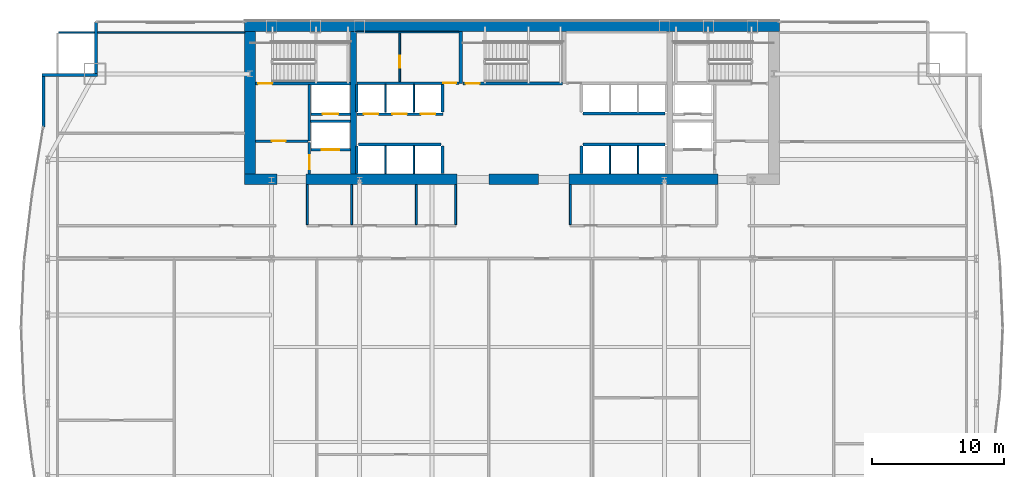
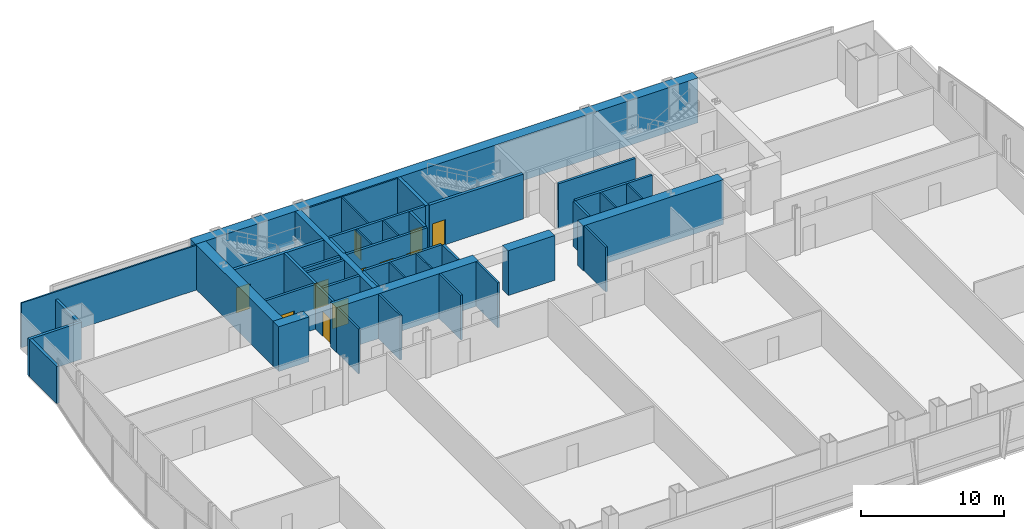
# One storey, part 28 of 32: 43 walls, 11 doors, 11 openings.
"""IFC4 building model written with IfcOpenShell, lengths in metres."""

from ifc_helpers import new_model, si_unit, direction, frame, frame_2d, origin, place, context, subcontext, project, spatial, rectangle, extrude, material, layer, layer_set, type_object, element, fill, save


model = new_model("IFC4")

# Units and contexts
model_context = context("Model", 3, precision=1e-05, world=origin(), true_north=direction((0.0, 1.0)))
body_context = subcontext(model_context, "Body", "Model", "MODEL_VIEW")
ifc_project = project(units=[si_unit("LENGTHUNIT", "METRE"), si_unit("AREAUNIT", "SQUARE_METRE"), si_unit("VOLUMEUNIT", "CUBIC_METRE"), si_unit("PLANEANGLEUNIT", "RADIAN"), si_unit("MASSUNIT", "GRAM", prefix="KILO")], contexts=[model_context])

# Site, building, storey
site_placement = place(None, origin())
site = spatial("IfcSite", under=ifc_project, at=site_placement, CompositionType="ELEMENT")
building_placement = place(site_placement, origin())
building = spatial("IfcBuilding", under=site, at=building_placement, Name="Khoronbel Lancet Exchange", CompositionType="ELEMENT")
storey_placement = place(building_placement, frame((0.0, 0.0, 65.800048828125)))
storey = spatial("IfcBuildingStorey", under=building, at=storey_placement, Name="L15", CompositionType="ELEMENT", Elevation=65.800048828125)

# Walls
ifc_material_1 = material(Name="Concrete C80/95", Category="concrete")
ifc_layer_1 = layer(ifc_material_1, 0.800048828125, Name="Concrete C80/95")
ifc_layer_set_1 = layer_set([ifc_layer_1], Name="Concrete C80/95")
wall_type_1 = type_object("IfcWallType", Name="WL-CW1", PredefinedType="SHEAR", material=ifc_layer_set_1)
wall_1_placement = place(storey_placement, frame((16.199951171875, 53.300048828125, 0.0), z_axis=(0.0, 0.0, 1.0), x_axis=(1.0, 0.0, 0.0)))
element("IfcWall", 1, at=wall_1_placement, inside=storey, type_object=wall_type_1, Name="Level L15 rear core north shear wall", PredefinedType="SHEAR", context=body_context, shape_type="SweptSolid", body=[
    extrude(rectangle(XDim=40.5, YDim=0.800048828125, at=frame_2d((20.25, 0.0))), origin(), (0.0, 0.0, 1.0), 3.820068359375),
])
wall_2_placement = place(storey_placement, frame((16.60009765625, 42.10009765625, 0.0), z_axis=(0.0, 0.0, 1.0), x_axis=(0.0, 1.0, 0.0)))
element("IfcWall", 2, at=wall_2_placement, inside=storey, type_object=wall_type_1, Name="Level L15 rear core west shear wall", PredefinedType="SHEAR", context=body_context, shape_type="SweptSolid", body=[
    extrude(rectangle(XDim=10.7998046875, YDim=0.800048828125, at=frame_2d((5.39990234375, 0.0))), origin(), (0.0, 0.0, 1.0), 3.820068359375),
])
wall_3_placement = place(storey_placement, frame((18.64990234375, 41.699951171875, 0.0), z_axis=(0.0, 0.0, 1.0), x_axis=(-1.0, 0.0, 0.0)))
element("IfcWall", 3, at=wall_3_placement, inside=storey, type_object=wall_type_1, Name="Level L15 rear core south shear wall pier P1", PredefinedType="SHEAR", context=body_context, shape_type="SweptSolid", body=[
    extrude(rectangle(XDim=2.449951171875, YDim=0.800048828125, at=frame_2d((1.22509765625, 0.0))), origin(), (0.0, 0.0, 1.0), 3.820068359375),
])
wall_4_placement = place(storey_placement, frame((32.300048828125, 41.699951171875, 0.0), z_axis=(0.0, 0.0, 1.0), x_axis=(-1.0, 0.0, 0.0)))
element("IfcWall", 4, at=wall_4_placement, inside=storey, type_object=wall_type_1, Name="Level L15 rear core south shear wall pier P2", PredefinedType="SHEAR", context=body_context, shape_type="SweptSolid", body=[
    extrude(rectangle(XDim=11.449951171875, YDim=0.800048828125, at=frame_2d((5.72509765625, 0.0))), origin(), (0.0, 0.0, 1.0), 3.820068359375),
])
wall_5_placement = place(storey_placement, frame((38.449951171875, 41.699951171875, 0.0), z_axis=(0.0, 0.0, 1.0), x_axis=(-1.0, 0.0, 0.0)))
element("IfcWall", 5, at=wall_5_placement, inside=storey, type_object=wall_type_1, Name="Level L15 rear core south shear wall pier P3", PredefinedType="SHEAR", context=body_context, shape_type="SweptSolid", body=[
    extrude(rectangle(XDim=3.75, YDim=0.800048828125, at=frame_2d((1.875, 0.0))), origin(), (0.0, 0.0, 1.0), 3.820068359375),
])
wall_6_placement = place(storey_placement, frame((52.050048828125, 41.699951171875, 0.0), z_axis=(0.0, 0.0, 1.0), x_axis=(-1.0, 0.0, 0.0)))
element("IfcWall", 6, at=wall_6_placement, inside=storey, type_object=wall_type_1, Name="Level L15 rear core south shear wall pier P4", PredefinedType="SHEAR", context=body_context, shape_type="SweptSolid", body=[
    extrude(rectangle(XDim=11.300048828125, YDim=0.800048828125, at=frame_2d((5.64990234375, 0.0))), origin(), (0.0, 0.0, 1.0), 3.820068359375),
])
ifc_material_2 = material(Name="Precast concrete C40/50", Category="concrete")
ifc_layer_2 = layer(ifc_material_2, 0.25, Name="Precast concrete C40/50")
ifc_layer_set_2 = layer_set([ifc_layer_2], Name="Precast concrete C40/50")
wall_type_2 = type_object("IfcWallType", Name="WL-EXT250", PredefinedType="SOLIDWALL", material=ifc_layer_set_2)
wall_7_placement = place(storey_placement, frame((0.93994140625, 45.672607421875, 0.0), z_axis=(0.0, 0.0, 1.0), x_axis=(0.0, 1.0, 0.0)))
element("IfcWall", 7, at=wall_7_placement, inside=storey, type_object=wall_type_2, Name="Level L15 notched-corner limestone pier 10", PredefinedType="SOLIDWALL", context=body_context, shape_type="SweptSolid", body=[
    extrude(rectangle(XDim=3.827392578125, YDim=0.219970703125, at=frame_2d((1.91357421875, 0.0))), origin(), (0.0, 0.0, 1.0), 3.159912109375),
])
wall_8_placement = place(storey_placement, frame((0.830078125, 49.610107421875, 0.0), z_axis=(0.0, 0.0, 1.0), x_axis=(1.0, 0.0, 0.0)))
element("IfcWall", 8, at=wall_8_placement, inside=storey, type_object=wall_type_2, Name="Level L15 notched-corner limestone pier 11", PredefinedType="SOLIDWALL", context=body_context, shape_type="SweptSolid", body=[
    extrude(rectangle(XDim=4.219970703125, YDim=0.219970703125, at=frame_2d((2.10986328125, 0.0))), origin(), (0.0, 0.0, 1.0), 3.159912109375),
])
wall_9_placement = place(storey_placement, frame((4.93994140625, 49.719970703125, 0.0), z_axis=(0.0, 0.0, 1.0), x_axis=(0.0, 1.0, 0.0)))
element("IfcWall", 9, at=wall_9_placement, inside=storey, type_object=wall_type_2, Name="Level L15 notched-corner limestone pier 12", PredefinedType="SOLIDWALL", context=body_context, shape_type="SweptSolid", body=[
    extrude(rectangle(XDim=3.909912109375, YDim=0.219970703125, at=frame_2d((1.955078125, 0.0))), origin(), (0.0, 0.0, 1.0), 3.159912109375),
])
ifc_material_3 = material(Name="Acoustic Metal-Stud & Mineral-Wool Gypsum Partition 120 mm", Category="gypsum")
ifc_layer_3 = layer(ifc_material_3, 0.1201171875, Name="Acoustic Metal-Stud & Mineral-Wool Gypsum Partition 120 mm")
ifc_layer_set_3 = layer_set([ifc_layer_3], Name="Acoustic Metal-Stud & Mineral-Wool Gypsum Partition 120 mm")
wall_type_3 = type_object("IfcWallType", Name="WL-PRT120", PredefinedType="PARTITIONING", material=ifc_layer_set_3)
for number, where, z_axis, x_axis, name in (
    (10, (20.949951171875, 38.280029296875, 0.0), (0.0, 0.0, 1.0), (0.0, 1.0, 0.0), "Level L15 interior partition PW-WC-0"),
    (11, (24.300048828125, 38.280029296875, 0.0), (0.0, 0.0, 1.0), (0.0, 1.0, 0.0), "Level L15 interior partition PW-WC-1"),
    (12, (29.199951171875, 38.280029296875, 0.0), (0.0, 0.0, 1.0), (0.0, 1.0, 0.0), "Level L15 interior partition PW-WC-2"),
    (13, (32.179931640625, 38.280029296875, 0.0), (0.0, 0.0, 1.0), (0.0, 1.0, 0.0), "Level L15 interior partition PW-WC-3"),
    (14, (40.8798828125, 38.280029296875, 0.0), (0.0, 0.0, 1.0), (0.0, 1.0, 0.0), "Level L15 interior partition PW-NP-0"),
):
    element("IfcWall", number, at=place(storey_placement, frame(where, z_axis=z_axis, x_axis=x_axis)), inside=storey, type_object=wall_type_3, Name=name, PredefinedType="PARTITIONING", context=body_context, shape_type="SweptSolid", body=[
        extrude(rectangle(XDim=3.02001953125, YDim=0.14990234375, at=frame_2d((1.510009765625, 0.0))), origin(), (0.0, 0.0, 1.0), 3.820068359375),
    ])
wall_10_placement = place(storey_placement, frame((2.094970703125, 52.840087890625, 0.0), z_axis=(0.0, 0.0, 1.0), x_axis=(1.0, 0.0, 0.0)))
element("IfcWall", 15, at=wall_10_placement, inside=storey, type_object=wall_type_3, Name="Level L15 interior partition PW-LIN-NW", PredefinedType="PARTITIONING", context=body_context, shape_type="SweptSolid", body=[
    extrude(rectangle(XDim=14.10498046875, YDim=0.1201171875, at=frame_2d((7.052490234375, 0.0))), origin(), (0.0, 0.0, 1.0), 3.820068359375),
])
ifc_material_4 = material(Name="Fire-Rated Metal-Stud & Mineral-Wool Gypsum Partition 120 mm", Category="gypsum")
ifc_layer_4 = layer(ifc_material_4, 0.1201171875, Name="Fire-Rated Metal-Stud & Mineral-Wool Gypsum Partition 120 mm")
ifc_layer_set_4 = layer_set([ifc_layer_4], Name="Fire-Rated Metal-Stud & Mineral-Wool Gypsum Partition 120 mm")
wall_type_4 = type_object("IfcWallType", Name="WL-PRT120F", PredefinedType="PARTITIONING", material=ifc_layer_set_4)
for number, where, z_axis, x_axis, name in (
    (16, (26.860107421875, 46.800048828125, 0.0), (0.0, 0.0, 1.0), (0.0, 1.0, 0.0), "Level L15 interior partition CW-PL-D1"),
    (17, (29.02001953125, 46.800048828125, 0.0), (0.0, 0.0, 1.0), (0.0, 1.0, 0.0), "Level L15 interior partition CW-PL-D2"),
):
    element("IfcWall", number, at=place(storey_placement, frame(where, z_axis=z_axis, x_axis=x_axis)), inside=storey, type_object=wall_type_4, Name=name, PredefinedType="PARTITIONING", context=body_context, shape_type="SweptSolid", body=[
        extrude(rectangle(XDim=2.094970703125, YDim=0.1201171875, at=frame_2d((1.04736328125, 0.0))), origin(), (0.0, 0.0, 1.0), 3.820068359375),
    ])
for number, where, z_axis, x_axis, name in (
    (18, (26.860107421875, 42.14990234375, 0.0), (0.0, 0.0, 1.0), (0.0, 1.0, 0.0), "Level L15 interior partition CW-PM-D1"),
    (19, (29.02001953125, 42.14990234375, 0.0), (0.0, 0.0, 1.0), (0.0, 1.0, 0.0), "Level L15 interior partition CW-PM-D2"),
    (20, (43.860107421875, 42.14990234375, 0.0), (0.0, 0.0, 1.0), (0.0, 1.0, 0.0), "Level L15 interior partition CW-PX-D1"),
    (21, (46.0, 42.14990234375, 0.0), (0.0, 0.0, 1.0), (0.0, 1.0, 0.0), "Level L15 interior partition CW-PX-D2"),
):
    element("IfcWall", number, at=place(storey_placement, frame(where, z_axis=z_axis, x_axis=x_axis)), inside=storey, type_object=wall_type_4, Name=name, PredefinedType="PARTITIONING", context=body_context, shape_type="SweptSolid", body=[
        extrude(rectangle(XDim=2.09521484375, YDim=0.1201171875, at=frame_2d((1.047607421875, 0.0))), origin(), (0.0, 0.0, 1.0), 3.820068359375),
    ])
wall_11_placement = place(storey_placement, frame((24.699951171875, 52.860107421875, 0.0), z_axis=(0.0, 0.0, 1.0), x_axis=(1.0, 0.0, 0.0)))
element("IfcWall", 22, at=wall_11_placement, inside=storey, type_object=wall_type_4, Name="Level L15 interior partition CW-SUP-NW-N", PredefinedType="PARTITIONING", context=body_context, shape_type="SweptSolid", body=[
    extrude(rectangle(XDim=7.719970703125, YDim=0.1201171875, at=frame_2d((3.85986328125, 0.0))), origin(), (0.0, 0.0, 1.0), 3.820068359375),
])

# Wall, opening, door
wall_12_placement = place(storey_placement, frame((27.9423828125, 49.10498046875, 0.0), z_axis=(0.0, 0.0, 1.0), x_axis=(0.0, 1.0, 0.0)))
wall_12 = element("IfcWall", 23, at=wall_12_placement, inside=storey, type_object=wall_type_4, Name="Level L15 interior partition CW-SUP-NW-M", PredefinedType="PARTITIONING", context=body_context, shape_type="SweptSolid", body=[
    extrude(rectangle(XDim=3.68994140625, YDim=0.1201171875, at=frame_2d((1.844970703125, 0.0))), origin(), (0.0, 0.0, 1.0), 3.820068359375),
])
opening_1_placement = place(wall_12_placement, frame((1.050048828125, 0.0, 0.0)))
opening_1 = element("IfcOpeningElement", 24, at=opening_1_placement, cuts=wall_12, Name="Opening FD4", PredefinedType="OPENING", context=body_context, shape_type="SweptSolid", body=[
    extrude(rectangle(XDim=0.89990234375, YDim=2.050048828125, at=frame_2d((0.449951171875, 1.02490234375))), frame((0.0, 0.070068359375, 0.0), z_axis=(0.0, -1.0, 0.0), x_axis=(1.0, 0.0, 0.0)), (0.0, 0.0, 1.0), 0.14013671875),
])
ifc_material_5 = material(Name="Fire-Rated Steel Core Support Door Assembly", Category="steel")
door_type_1 = type_object("IfcDoorType", Name="DR-FD4", OperationType="NOTDEFINED", PredefinedType="DOOR", material=ifc_material_5)
door_1_placement = place(opening_1_placement, origin())
door_1 = element("IfcDoor", 25, at=door_1_placement, inside=storey, type_object=door_type_1, Name="Core NW inner support door L15-1", OperationType="SINGLE_SWING_LEFT", OverallHeight=2.050048828125, OverallWidth=0.89990234375, PredefinedType="DOOR", context=body_context, shape_type="SweptSolid", body=[
    extrude(rectangle(XDim=0.89990234375, YDim=2.050048828125, at=frame_2d((0.449951171875, 1.02490234375))), frame((0.0, 0.02490234375, 0.0), z_axis=(0.0, -1.0, 0.0), x_axis=(1.0, 0.0, 0.0)), (0.0, 0.0, 1.0), 0.050048828125),
])
fill(opening_1, door_1)

ifc_material_6 = material(Name="Autoclaved Aerated Concrete Blockwork 200 mm", Category="masonry")
ifc_layer_5 = layer(ifc_material_6, 0.199951171875, Name="Autoclaved Aerated Concrete Blockwork 200 mm")
ifc_layer_set_5 = layer_set([ifc_layer_5], Name="Autoclaved Aerated Concrete Blockwork 200 mm")
wall_type_5 = type_object("IfcWallType", Name="WL-PRT200", PredefinedType="PARTITIONING", material=ifc_layer_set_5)
wall_13_placement = place(storey_placement, frame((24.2099609375, 43.949951171875, 0.0), z_axis=(0.0, 0.0, 1.0), x_axis=(-1.0, 0.0, 0.0)))
wall_13 = element("IfcWall", 26, at=wall_13_placement, inside=storey, type_object=wall_type_5, Name="Level L15 elevator hoistway landing front wall SVLW", PredefinedType="PARTITIONING", context=body_context, shape_type="SweptSolid", body=[
    extrude(rectangle(XDim=2.969970703125, YDim=0.199951171875, at=frame_2d((1.48486328125, 0.0))), origin(), (0.0, 0.0, 1.0), 3.820068359375),
])
opening_2_placement = place(wall_13_placement, frame((0.860107421875, 0.0, 0.0)))
opening_2 = element("IfcOpeningElement", 27, at=opening_2_placement, cuts=wall_13, Name="Opening LD-SVL1", PredefinedType="OPENING", context=body_context, shape_type="SweptSolid", body=[
    extrude(rectangle(XDim=1.300048828125, YDim=2.179931640625, at=frame_2d((0.64990234375, 1.08984375))), frame((0.0, 0.10986328125, 0.0), z_axis=(0.0, -1.0, 0.0), x_axis=(1.0, 0.0, 0.0)), (0.0, 0.0, 1.0), 0.219970703125),
])
ifc_material_7 = material(Name="Heavy-Duty Bi-Parting Goods Lift Landing Door", Category="steel")
door_type_2 = type_object("IfcDoorType", Name="DR-LD-SVL", OperationType="NOTDEFINED", PredefinedType="DOOR", material=ifc_material_7)
door_2_placement = place(opening_2_placement, origin())
door_2 = element("IfcDoor", 28, at=door_2_placement, inside=storey, type_object=door_type_2, Name="Elevator landing sliding door LD-SVL1 L15", OperationType="SLIDING_TO_LEFT", OverallHeight=2.179931640625, OverallWidth=1.300048828125, PredefinedType="DOOR", context=body_context, shape_type="SweptSolid", body=[
    extrude(rectangle(XDim=1.300048828125, YDim=2.179931640625, at=frame_2d((0.64990234375, 1.08984375))), frame((0.0, 0.02490234375, 0.0), z_axis=(0.0, -1.0, 0.0), x_axis=(1.0, 0.0, 0.0)), (0.0, 0.0, 1.0), 0.050048828125),
])
fill(opening_2, door_2)

wall_14_placement = place(storey_placement, frame((24.2099609375, 46.64990234375, 0.0), z_axis=(0.0, 0.0, 1.0), x_axis=(-1.0, 0.0, 0.0)))
wall_14 = element("IfcWall", 29, at=wall_14_placement, inside=storey, type_object=wall_type_5, Name="Level L15 elevator hoistway landing front wall FFLW", PredefinedType="PARTITIONING", context=body_context, shape_type="SweptSolid", body=[
    extrude(rectangle(XDim=2.969970703125, YDim=0.199951171875, at=frame_2d((1.48486328125, 0.0))), origin(), (0.0, 0.0, 1.0), 3.820068359375),
])
opening_3_placement = place(wall_14_placement, frame((0.909912109375, 0.0, 0.0)))
opening_3 = element("IfcOpeningElement", 30, at=opening_3_placement, cuts=wall_14, Name="Opening LD-FFL1", PredefinedType="OPENING", context=body_context, shape_type="SweptSolid", body=[
    extrude(rectangle(XDim=1.199951171875, YDim=2.179931640625, at=frame_2d((0.60009765625, 1.08984375))), frame((0.0, 0.10986328125, 0.0), z_axis=(0.0, -1.0, 0.0), x_axis=(1.0, 0.0, 0.0)), (0.0, 0.0, 1.0), 0.219970703125),
])
ifc_material_8 = material(Name="Fire-Rated Stainless Bi-Parting Firefighting Lift Door", Category="steel")
door_type_3 = type_object("IfcDoorType", Name="DR-LD-FFL", OperationType="NOTDEFINED", PredefinedType="DOOR", material=ifc_material_8)
door_3_placement = place(opening_3_placement, origin())
door_3 = element("IfcDoor", 31, at=door_3_placement, inside=storey, type_object=door_type_3, Name="Elevator landing sliding door LD-FFL1 L15", OperationType="SLIDING_TO_LEFT", OverallHeight=2.179931640625, OverallWidth=1.199951171875, PredefinedType="DOOR", context=body_context, shape_type="SweptSolid", body=[
    extrude(rectangle(XDim=1.199951171875, YDim=2.179931640625, at=frame_2d((0.60009765625, 1.08984375))), frame((0.0, 0.02490234375, 0.0), z_axis=(0.0, -1.0, 0.0), x_axis=(1.0, 0.0, 0.0)), (0.0, 0.0, 1.0), 0.050048828125),
])
fill(opening_3, door_3)

# Wall, openings, doors
wall_15_placement = place(storey_placement, frame((31.219970703125, 46.64990234375, 0.0), z_axis=(0.0, 0.0, 1.0), x_axis=(-1.0, 0.0, 0.0)))
wall_15 = element("IfcWall", 32, at=wall_15_placement, inside=storey, type_object=wall_type_5, Name="Level L15 elevator hoistway landing front wall PLW", PredefinedType="PARTITIONING", context=body_context, shape_type="SweptSolid", body=[
    extrude(rectangle(XDim=6.530029296875, YDim=0.199951171875, at=frame_2d((3.26513671875, 0.0))), origin(), (0.0, 0.0, 1.0), 3.820068359375),
])
opening_4_placement = place(wall_15_placement, frame((4.89990234375, 0.0, 0.0)))
opening_4 = element("IfcOpeningElement", 33, at=opening_4_placement, cuts=wall_15, Name="Opening LD-PL1", PredefinedType="OPENING", context=body_context, shape_type="SweptSolid", body=[
    extrude(rectangle(XDim=1.10009765625, YDim=2.179931640625, at=frame_2d((0.550048828125, 1.08984375))), frame((0.0, 0.10986328125, 0.0), z_axis=(0.0, -1.0, 0.0), x_axis=(1.0, 0.0, 0.0)), (0.0, 0.0, 1.0), 0.219970703125),
])
opening_5_placement = place(wall_15_placement, frame((2.739990234375, 0.0, 0.0)))
opening_5 = element("IfcOpeningElement", 34, at=opening_5_placement, cuts=wall_15, Name="Opening LD-PL2", PredefinedType="OPENING", context=body_context, shape_type="SweptSolid", body=[
    extrude(rectangle(XDim=1.10009765625, YDim=2.179931640625, at=frame_2d((0.550048828125, 1.08984375))), frame((0.0, 0.10986328125, 0.0), z_axis=(0.0, -1.0, 0.0), x_axis=(1.0, 0.0, 0.0)), (0.0, 0.0, 1.0), 0.219970703125),
])
opening_6_placement = place(wall_15_placement, frame((0.580078125, 0.0, 0.0)))
opening_6 = element("IfcOpeningElement", 35, at=opening_6_placement, cuts=wall_15, Name="Opening LD-PL3", PredefinedType="OPENING", context=body_context, shape_type="SweptSolid", body=[
    extrude(rectangle(XDim=1.10009765625, YDim=2.179931640625, at=frame_2d((0.550048828125, 1.08984375))), frame((0.0, 0.10986328125, 0.0), z_axis=(0.0, -1.0, 0.0), x_axis=(1.0, 0.0, 0.0)), (0.0, 0.0, 1.0), 0.219970703125),
])
ifc_material_9 = material(Name="Brushed Bronze Bi-Parting Elevator Landing Door", Category="steel")
door_type_4 = type_object("IfcDoorType", Name="DR-LD-PAX", OperationType="NOTDEFINED", PredefinedType="DOOR", material=ifc_material_9)
door_4_placement = place(opening_4_placement, origin())
door_4 = element("IfcDoor", 36, at=door_4_placement, inside=storey, type_object=door_type_4, Name="Elevator landing sliding door LD-PL1 L15", OperationType="SLIDING_TO_LEFT", OverallHeight=2.179931640625, OverallWidth=1.10009765625, PredefinedType="DOOR", context=body_context, shape_type="SweptSolid", body=[
    extrude(rectangle(XDim=1.10009765625, YDim=2.179931640625, at=frame_2d((0.550048828125, 1.08984375))), frame((0.0, 0.02490234375, 0.0), z_axis=(0.0, -1.0, 0.0), x_axis=(1.0, 0.0, 0.0)), (0.0, 0.0, 1.0), 0.050048828125),
])
fill(opening_4, door_4)
door_5_placement = place(opening_5_placement, origin())
door_5 = element("IfcDoor", 37, at=door_5_placement, inside=storey, type_object=door_type_4, Name="Elevator landing sliding door LD-PL2 L15", OperationType="SLIDING_TO_LEFT", OverallHeight=2.179931640625, OverallWidth=1.10009765625, PredefinedType="DOOR", context=body_context, shape_type="SweptSolid", body=[
    extrude(rectangle(XDim=1.10009765625, YDim=2.179931640625, at=frame_2d((0.550048828125, 1.08984375))), frame((0.0, 0.02490234375, 0.0), z_axis=(0.0, -1.0, 0.0), x_axis=(1.0, 0.0, 0.0)), (0.0, 0.0, 1.0), 0.050048828125),
])
fill(opening_5, door_5)
door_6_placement = place(opening_6_placement, origin())
door_6 = element("IfcDoor", 38, at=door_6_placement, inside=storey, type_object=door_type_4, Name="Elevator landing sliding door LD-PL3 L15", OperationType="SLIDING_TO_LEFT", OverallHeight=2.179931640625, OverallWidth=1.10009765625, PredefinedType="DOOR", context=body_context, shape_type="SweptSolid", body=[
    extrude(rectangle(XDim=1.10009765625, YDim=2.179931640625, at=frame_2d((0.550048828125, 1.08984375))), frame((0.0, 0.02490234375, 0.0), z_axis=(0.0, -1.0, 0.0), x_axis=(1.0, 0.0, 0.0)), (0.0, 0.0, 1.0), 0.050048828125),
])
fill(opening_6, door_6)

# Wall
wall_16_placement = place(storey_placement, frame((21.10009765625, 44.60009765625, 0.0), z_axis=(0.0, 0.0, 1.0), x_axis=(0.0, 1.0, 0.0)))
element("IfcWall", 39, at=wall_16_placement, inside=storey, type_object=wall_type_5, Name="Level L15 interior partition CW-FFLW-E", PredefinedType="PARTITIONING", context=body_context, shape_type="SweptSolid", body=[
    extrude(rectangle(XDim=4.2998046875, YDim=0.199951171875, at=frame_2d((2.14990234375, 0.0))), origin(), (0.0, 0.0, 1.0), 3.820068359375),
])

# Wall, opening, door
wall_17_placement = place(storey_placement, frame((17.0, 44.60009765625, 0.0), z_axis=(0.0, 0.0, 1.0), x_axis=(1.0, 0.0, 0.0)))
wall_17 = element("IfcWall", 40, at=wall_17_placement, inside=storey, type_object=wall_type_5, Name="Level L15 interior partition CW-FFLW-S", PredefinedType="PARTITIONING", context=body_context, shape_type="SweptSolid", body=[
    extrude(rectangle(XDim=4.0, YDim=0.199951171875, at=frame_2d((2.0, 0.0))), origin(), (0.0, 0.0, 1.0), 3.820068359375),
])
opening_7_placement = place(wall_17_placement, frame((1.25, 0.0, 0.0)))
opening_7 = element("IfcOpeningElement", 41, at=opening_7_placement, cuts=wall_17, Name="Opening FD1", PredefinedType="OPENING", context=body_context, shape_type="SweptSolid", body=[
    extrude(rectangle(XDim=1.050048828125, YDim=2.14990234375, at=frame_2d((0.52490234375, 1.074951171875))), frame((0.0, 0.10986328125, 0.0), z_axis=(0.0, -1.0, 0.0), x_axis=(1.0, 0.0, 0.0)), (0.0, 0.0, 1.0), 0.219970703125),
])
ifc_material_10 = material(Name="Fire-Rated Painted Steel Door Assembly", Category="steel")
door_type_5 = type_object("IfcDoorType", Name="DR-FD1", OperationType="NOTDEFINED", PredefinedType="DOOR", material=ifc_material_10)
door_7_placement = place(opening_7_placement, origin())
door_7 = element("IfcDoor", 42, at=door_7_placement, inside=storey, type_object=door_type_5, Name="West firefighting lobby FD90S door L15-1", OperationType="SINGLE_SWING_RIGHT", OverallHeight=2.14990234375, OverallWidth=1.050048828125, PredefinedType="DOOR", context=body_context, shape_type="SweptSolid", body=[
    extrude(rectangle(XDim=1.050048828125, YDim=2.14990234375, at=frame_2d((0.52490234375, 1.074951171875))), frame((0.0, 0.02490234375, 0.0), z_axis=(0.0, -1.0, 0.0), x_axis=(1.0, 0.0, 0.0)), (0.0, 0.0, 1.0), 0.050048828125),
])
fill(opening_7, door_7)

# Wall
wall_18_placement = place(storey_placement, frame((21.199951171875, 46.1201171875, 0.0), z_axis=(0.0, 0.0, 1.0), x_axis=(1.0, 0.0, 0.0)))
element("IfcWall", 43, at=wall_18_placement, inside=storey, type_object=wall_type_5, Name="Level L15 interior partition CW-FFL1-S", PredefinedType="PARTITIONING", context=body_context, shape_type="SweptSolid", body=[
    extrude(rectangle(XDim=3.02001953125, YDim=0.199951171875, at=frame_2d((1.510009765625, 0.0))), origin(), (0.0, 0.0, 1.0), 3.820068359375),
])

# Wall, opening, door
wall_19_placement = place(storey_placement, frame((21.10009765625, 42.10009765625, 0.0), z_axis=(0.0, 0.0, 1.0), x_axis=(0.0, 1.0, 0.0)))
wall_19 = element("IfcWall", 44, at=wall_19_placement, inside=storey, type_object=wall_type_5, Name="Level L15 interior partition CW-SVLW-W", PredefinedType="PARTITIONING", context=body_context, shape_type="SweptSolid", body=[
    extrude(rectangle(XDim=2.39501953125, YDim=0.199951171875, at=frame_2d((1.197509765625, 0.0))), origin(), (0.0, 0.0, 1.0), 3.820068359375),
])
opening_8_placement = place(wall_19_placement, frame((0.3798828125, 0.0, 0.0)))
opening_8 = element("IfcOpeningElement", 45, at=opening_8_placement, cuts=wall_19, Name="Opening FD1", PredefinedType="OPENING", context=body_context, shape_type="SweptSolid", body=[
    extrude(rectangle(XDim=1.050048828125, YDim=2.14990234375, at=frame_2d((0.52490234375, 1.074951171875))), frame((0.0, 0.10986328125, 0.0), z_axis=(0.0, -1.0, 0.0), x_axis=(1.0, 0.0, 0.0)), (0.0, 0.0, 1.0), 0.219970703125),
])
door_8_placement = place(opening_8_placement, origin())
door_8 = element("IfcDoor", 46, at=door_8_placement, inside=storey, type_object=door_type_5, Name="West service lift lobby door L15-1", OperationType="SINGLE_SWING_LEFT", OverallHeight=2.14990234375, OverallWidth=1.050048828125, PredefinedType="DOOR", context=body_context, shape_type="SweptSolid", body=[
    extrude(rectangle(XDim=1.050048828125, YDim=2.14990234375, at=frame_2d((0.52490234375, 1.074951171875))), frame((0.0, 0.02490234375, 0.0), z_axis=(0.0, -1.0, 0.0), x_axis=(1.0, 0.0, 0.0)), (0.0, 0.0, 1.0), 0.050048828125),
])
fill(opening_8, door_8)

# Walls
for number, where, z_axis, x_axis, name in (
    (47, (24.699951171875, 46.800048828125, 0.0), (0.0, 0.0, 1.0), (0.0, 1.0, 0.0), "Level L15 interior partition CW-PL-W"),
    (48, (31.179931640625, 46.800048828125, 0.0), (0.0, 0.0, 1.0), (0.0, 1.0, 0.0), "Level L15 interior partition CW-PL-E"),
):
    element("IfcWall", number, at=place(storey_placement, frame(where, z_axis=z_axis, x_axis=x_axis)), inside=storey, type_object=wall_type_5, Name=name, PredefinedType="PARTITIONING", context=body_context, shape_type="SweptSolid", body=[
        extrude(rectangle(XDim=2.094970703125, YDim=0.199951171875, at=frame_2d((1.04736328125, 0.0))), origin(), (0.0, 0.0, 1.0), 3.820068359375),
    ])
wall_20_placement = place(storey_placement, frame((24.804931640625, 44.35009765625, 0.0), z_axis=(0.0, 0.0, 1.0), x_axis=(1.0, 0.0, 0.0)))
element("IfcWall", 49, at=wall_20_placement, inside=storey, type_object=wall_type_5, Name="Level L15 interior partition CW-PM-EXP", PredefinedType="PARTITIONING", context=body_context, shape_type="SweptSolid", body=[
    extrude(rectangle(XDim=6.27001953125, YDim=0.199951171875, at=frame_2d((3.135009765625, 0.0))), origin(), (0.0, 0.0, 1.0), 3.820068359375),
])
for number, where, z_axis, x_axis, name in (
    (50, (24.699951171875, 42.14990234375, 0.0), (0.0, 0.0, 1.0), (0.0, 1.0, 0.0), "Level L15 interior partition CW-PM-W"),
    (51, (31.179931640625, 42.14990234375, 0.0), (0.0, 0.0, 1.0), (0.0, 1.0, 0.0), "Level L15 interior partition CW-PM-E"),
):
    element("IfcWall", number, at=place(storey_placement, frame(where, z_axis=z_axis, x_axis=x_axis)), inside=storey, type_object=wall_type_5, Name=name, PredefinedType="PARTITIONING", context=body_context, shape_type="SweptSolid", body=[
        extrude(rectangle(XDim=2.09521484375, YDim=0.199951171875, at=frame_2d((1.047607421875, 0.0))), origin(), (0.0, 0.0, 1.0), 3.820068359375),
    ])
for number, where, z_axis, x_axis, name in (
    (52, (41.824951171875, 46.699951171875, 0.0), (0.0, 0.0, 1.0), (1.0, 0.0, 0.0), "Level L15 interior partition CW-PH-EXP"),
    (53, (41.824951171875, 44.35009765625, 0.0), (0.0, 0.0, 1.0), (1.0, 0.0, 0.0), "Level L15 interior partition CW-PX-EXP"),
):
    element("IfcWall", number, at=place(storey_placement, frame(where, z_axis=z_axis, x_axis=x_axis)), inside=storey, type_object=wall_type_5, Name=name, PredefinedType="PARTITIONING", context=body_context, shape_type="SweptSolid", body=[
        extrude(rectangle(XDim=6.2099609375, YDim=0.199951171875, at=frame_2d((3.10498046875, 0.0))), origin(), (0.0, 0.0, 1.0), 3.820068359375),
    ])
wall_21_placement = place(storey_placement, frame((41.719970703125, 42.14990234375, 0.0), z_axis=(0.0, 0.0, 1.0), x_axis=(0.0, 1.0, 0.0)))
element("IfcWall", 54, at=wall_21_placement, inside=storey, type_object=wall_type_5, Name="Level L15 interior partition CW-PX-W", PredefinedType="PARTITIONING", context=body_context, shape_type="SweptSolid", body=[
    extrude(rectangle(XDim=2.09521484375, YDim=0.199951171875, at=frame_2d((1.047607421875, 0.0))), origin(), (0.0, 0.0, 1.0), 3.820068359375),
])

# Wall, opening, door
wall_22_placement = place(storey_placement, frame((24.699951171875, 49.0, 0.0), z_axis=(0.0, 0.0, 1.0), x_axis=(1.0, 0.0, 0.0)))
wall_22 = element("IfcWall", 55, at=wall_22_placement, inside=storey, type_object=wall_type_5, Name="Level L15 interior partition CW-SUP-NW-S", PredefinedType="PARTITIONING", context=body_context, shape_type="SweptSolid", body=[
    extrude(rectangle(XDim=7.719970703125, YDim=0.199951171875, at=frame_2d((3.85986328125, 0.0))), origin(), (0.0, 0.0, 1.0), 3.820068359375),
])
opening_9_placement = place(wall_22_placement, frame((6.56005859375, 0.0, 0.0)))
opening_9 = element("IfcOpeningElement", 56, at=opening_9_placement, cuts=wall_22, Name="Opening FD3", PredefinedType="OPENING", context=body_context, shape_type="SweptSolid", body=[
    extrude(rectangle(XDim=0.949951171875, YDim=2.10009765625, at=frame_2d((0.47509765625, 1.050048828125))), frame((0.0, 0.10986328125, 0.0), z_axis=(0.0, -1.0, 0.0), x_axis=(1.0, 0.0, 0.0)), (0.0, 0.0, 1.0), 0.219970703125),
])
ifc_material_11 = material(Name="Fire-Rated Steel Plant & Riser Door Assembly", Category="steel")
door_type_6 = type_object("IfcDoorType", Name="DR-FD3", OperationType="NOTDEFINED", PredefinedType="DOOR", material=ifc_material_11)
door_9_placement = place(opening_9_placement, origin())
door_9 = element("IfcDoor", 57, at=door_9_placement, inside=storey, type_object=door_type_6, Name="Core NW support room door L15-1", OperationType="SINGLE_SWING_RIGHT", OverallHeight=2.10009765625, OverallWidth=0.949951171875, PredefinedType="DOOR", context=body_context, shape_type="SweptSolid", body=[
    extrude(rectangle(XDim=0.949951171875, YDim=2.10009765625, at=frame_2d((0.47509765625, 1.050048828125))), frame((0.0, 0.02490234375, 0.0), z_axis=(0.0, -1.0, 0.0), x_axis=(1.0, 0.0, 0.0)), (0.0, 0.0, 1.0), 0.050048828125),
])
fill(opening_9, door_9)

# Walls
ifc_layer_6 = layer(ifc_material_1, 0.449951171875, Name="Concrete C80/95")
ifc_layer_set_6 = layer_set([ifc_layer_6], Name="Concrete C80/95")
wall_type_6 = type_object("IfcWallType", Name="WL-SW1", PredefinedType="SHEAR", material=ifc_layer_set_6)
wall_23_placement = place(storey_placement, frame((24.449951171875, 42.10009765625, 0.0), z_axis=(0.0, 0.0, 1.0), x_axis=(0.0, 1.0, 0.0)))
element("IfcWall", 58, at=wall_23_placement, inside=storey, type_object=wall_type_6, Name="Level L15 rear core internal spine shear wall IW", PredefinedType="SHEAR", context=body_context, shape_type="SweptSolid", body=[
    extrude(rectangle(XDim=10.7998046875, YDim=0.449951171875, at=frame_2d((5.39990234375, 0.0))), origin(), (0.0, 0.0, 1.0), 3.820068359375),
])
ifc_material_12 = material(Name="Concrete C60/75", Category="concrete")
ifc_layer_7 = layer(ifc_material_12, 0.260009765625, Name="Concrete C60/75")
ifc_layer_set_7 = layer_set([ifc_layer_7], Name="Concrete C60/75")
wall_type_7 = type_object("IfcWallType", Name="WL-SW3", PredefinedType="SHEAR", material=ifc_layer_set_7)
wall_24_placement = place(storey_placement, frame((32.580078125, 48.949951171875, 0.0), z_axis=(0.0, 0.0, 1.0), x_axis=(0.0, 1.0, 0.0)))
element("IfcWall", 59, at=wall_24_placement, inside=storey, type_object=wall_type_7, Name="Level L15 central stairwell structural shear wall ST3W", PredefinedType="SHEAR", context=body_context, shape_type="SweptSolid", body=[
    extrude(rectangle(XDim=3.949951171875, YDim=0.260009765625, at=frame_2d((1.97509765625, 0.0))), origin(), (0.0, 0.0, 1.0), 3.820068359375),
])

# Wall, opening, door
wall_25_placement = place(storey_placement, frame((17.0, 48.97998046875, 0.0), z_axis=(0.0, 0.0, 1.0), x_axis=(1.0, 0.0, 0.0)))
wall_25 = element("IfcWall", 60, at=wall_25_placement, inside=storey, type_object=wall_type_7, Name="Level L15 west stairwell structural south wall", PredefinedType="SHEAR", context=body_context, shape_type="SweptSolid", body=[
    extrude(rectangle(XDim=7.219970703125, YDim=0.239990234375, at=frame_2d((3.60986328125, 0.0))), origin(), (0.0, 0.0, 1.0), 3.820068359375),
])
opening_10_placement = place(wall_25_placement, frame((0.219970703125, 0.0, 0.0)))
opening_10 = element("IfcOpeningElement", 61, at=opening_10_placement, cuts=wall_25, Name="Opening SD1", PredefinedType="OPENING", context=body_context, shape_type="SweptSolid", body=[
    extrude(rectangle(XDim=1.050048828125, YDim=2.14990234375, at=frame_2d((0.52490234375, 1.074951171875))), frame((0.0, 0.1298828125, 0.0), z_axis=(0.0, -1.0, 0.0), x_axis=(1.0, 0.0, 0.0)), (0.0, 0.0, 1.0), 0.260009765625),
])
ifc_material_13 = material(Name="Fire-Rated Steel Stairwell Door Assembly", Category="steel")
door_type_7 = type_object("IfcDoorType", Name="DR-SD1", OperationType="NOTDEFINED", PredefinedType="DOOR", material=ifc_material_13)
door_10_placement = place(opening_10_placement, origin())
door_10 = element("IfcDoor", 62, at=door_10_placement, inside=storey, type_object=door_type_7, Name="Protected exit stair ST1 door L15", OperationType="SINGLE_SWING_LEFT", OverallHeight=2.14990234375, OverallWidth=1.050048828125, PredefinedType="DOOR", context=body_context, shape_type="SweptSolid", body=[
    extrude(rectangle(XDim=1.050048828125, YDim=2.14990234375, at=frame_2d((0.52490234375, 1.074951171875))), frame((0.0, 0.02490234375, 0.0), z_axis=(0.0, -1.0, 0.0), x_axis=(1.0, 0.0, 0.0)), (0.0, 0.0, 1.0), 0.050048828125),
])
fill(opening_10, door_10)

wall_26_placement = place(storey_placement, frame((32.719970703125, 48.97998046875, 0.0), z_axis=(0.0, 0.0, 1.0), x_axis=(1.0, 0.0, 0.0)))
wall_26 = element("IfcWall", 63, at=wall_26_placement, inside=storey, type_object=wall_type_7, Name="Level L15 central stairwell structural south wall", PredefinedType="SHEAR", context=body_context, shape_type="SweptSolid", body=[
    extrude(rectangle(XDim=7.56005859375, YDim=0.239990234375, at=frame_2d((3.780029296875, 0.0))), origin(), (0.0, 0.0, 1.0), 3.820068359375),
])
opening_11_placement = place(wall_26_placement, frame((0.219970703125, 0.0, 0.0)))
opening_11 = element("IfcOpeningElement", 64, at=opening_11_placement, cuts=wall_26, Name="Opening SD1", PredefinedType="OPENING", context=body_context, shape_type="SweptSolid", body=[
    extrude(rectangle(XDim=1.050048828125, YDim=2.14990234375, at=frame_2d((0.52490234375, 1.074951171875))), frame((0.0, 0.1298828125, 0.0), z_axis=(0.0, -1.0, 0.0), x_axis=(1.0, 0.0, 0.0)), (0.0, 0.0, 1.0), 0.260009765625),
])
door_11_placement = place(opening_11_placement, origin())
door_11 = element("IfcDoor", 65, at=door_11_placement, inside=storey, type_object=door_type_7, Name="Protected exit stair ST3 door L15", OperationType="SINGLE_SWING_LEFT", OverallHeight=2.14990234375, OverallWidth=1.050048828125, PredefinedType="DOOR", context=body_context, shape_type="SweptSolid", body=[
    extrude(rectangle(XDim=1.050048828125, YDim=2.14990234375, at=frame_2d((0.52490234375, 1.074951171875))), frame((0.0, 0.02490234375, 0.0), z_axis=(0.0, -1.0, 0.0), x_axis=(1.0, 0.0, 0.0)), (0.0, 0.0, 1.0), 0.050048828125),
])
fill(opening_11, door_11)

save(model, "model.ifc")
